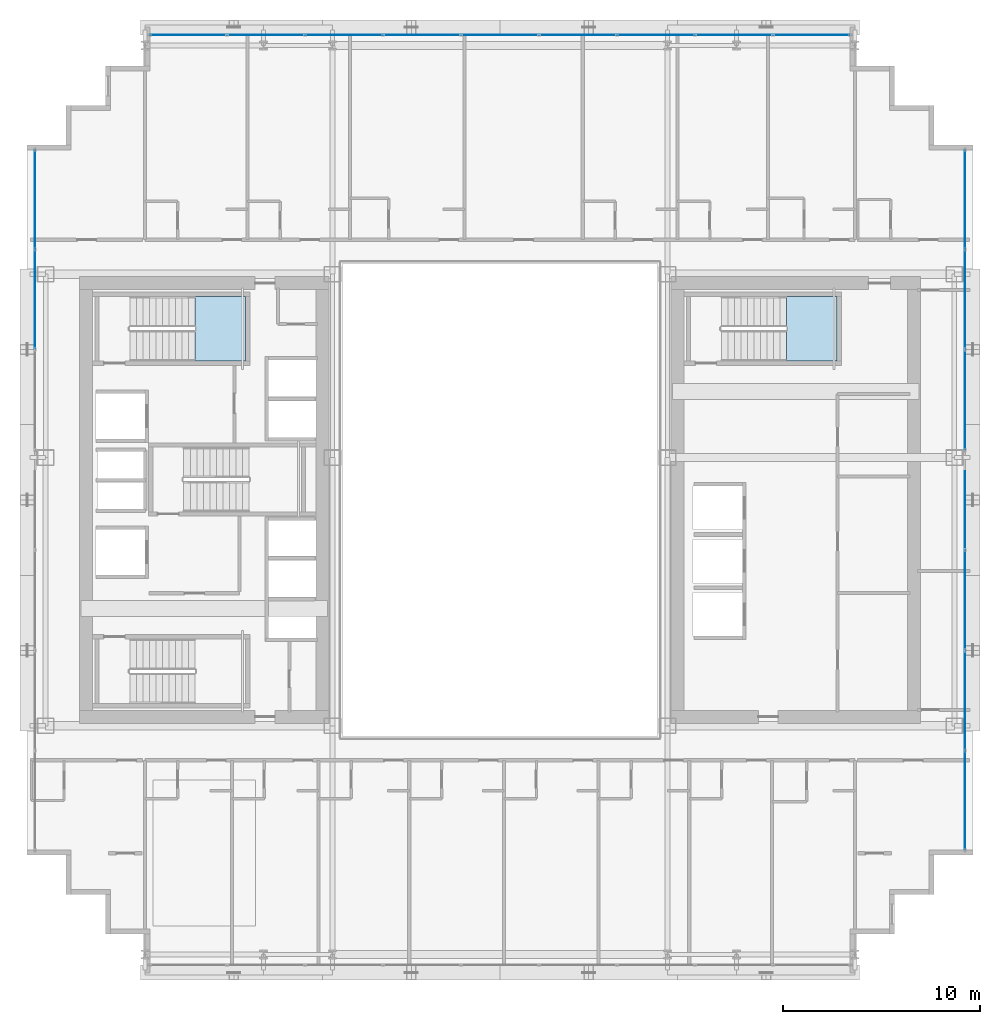
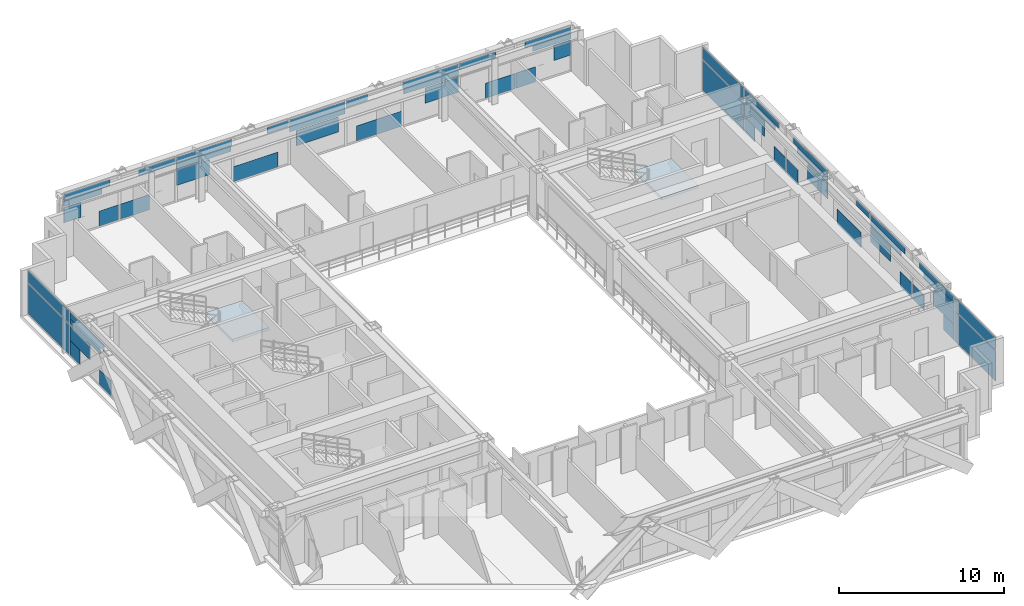
# One storey, part 24 of 36: 55 plates, 2 slabs, 5 elements without a shape of their own.
"""IFC4 building model written with IfcOpenShell, lengths in metres."""

from ifc_helpers import new_model, si_unit, direction, frame, origin, origin_2d, place, context, subcontext, project, spatial, polyline, rectangle, outline, extrude, source, transform, mapped, material, layer, layer_set, type_object, element, aggregate, save


model = new_model("IFC4")

# Units and contexts
model_context = context("Model", 3, precision=1e-05, world=origin(), true_north=direction((0.0, 1.0)))
body_context = subcontext(model_context, "Body", "Model", "MODEL_VIEW")
ifc_project = project(units=[si_unit("LENGTHUNIT", "METRE"), si_unit("AREAUNIT", "SQUARE_METRE"), si_unit("VOLUMEUNIT", "CUBIC_METRE"), si_unit("PLANEANGLEUNIT", "RADIAN"), si_unit("MASSUNIT", "GRAM", prefix="KILO")], contexts=[model_context])

# Site, building, storey
site_placement = place(None, origin())
site = spatial("IfcSite", under=ifc_project, at=site_placement, CompositionType="ELEMENT")
building_placement = place(site_placement, origin())
building = spatial("IfcBuilding", under=site, at=building_placement, Name="Ocotamira Hotel", CompositionType="ELEMENT")
storey_placement = place(building_placement, frame((0.0, 0.0, 97.199951171875)))
storey = spatial("IfcBuildingStorey", under=building, at=storey_placement, Name="L23", CompositionType="ELEMENT", Elevation=97.199951171875)

# Stair, slab
ifc_material_1 = material(Name="Concrete C40/50", Category="concrete")
stair_type = type_object("IfcStairType", Name="ST-CORE-1560", PredefinedType="HALF_TURN_STAIR", material=ifc_material_1)
stair_1_placement = place(storey_placement, origin())
stair_1 = element("IfcStair", 1, at=stair_1_placement, inside=storey, type_object=stair_type, Name="L23 Exit Stair ST-2", PredefinedType="HALF_TURN_STAIR")
ifc_layer_1 = layer(ifc_material_1, 0.199951171875)
ifc_layer_set_1 = layer_set([ifc_layer_1], Name="Concrete C40/50")
slab_type = type_object("IfcSlabType", Name="SLB-LAND-200", PredefinedType="LANDING", material=ifc_layer_set_1)
slab_1_placement = place(storey_placement, frame((0.0, 0.0, 1.60009765625)))
slab_1 = element("IfcSlab", 2, at=slab_1_placement, type_object=slab_type, Name="ST-2 landing 1", PredefinedType="LANDING", context=body_context, shape_type="SweptSolid", body=[
    extrude(outline(polyline([(16.530029296875, 33.050048828125), (19.090087890625, 33.050048828125), (19.090087890625, 36.330078125), (16.530029296875, 36.330078125), (16.530029296875, 33.050048828125)])), origin(), (0.0, 0.0, 1.0), 0.199951171875),
])
aggregate(stair_1, [slab_1])

stair_2_placement = place(storey_placement, origin())
stair_2 = element("IfcStair", 3, at=stair_2_placement, inside=storey, type_object=stair_type, Name="L23 Exit Stair ST-4", PredefinedType="HALF_TURN_STAIR")
slab_2_placement = place(storey_placement, frame((0.0, 0.0, 1.60009765625)))
slab_2 = element("IfcSlab", 4, at=slab_2_placement, type_object=slab_type, Name="ST-4 landing 1", PredefinedType="LANDING", context=body_context, shape_type="SweptSolid", body=[
    extrude(outline(polyline([(46.530029296875, 33.050048828125), (49.090087890625, 33.050048828125), (49.090087890625, 36.330078125), (46.530029296875, 36.330078125), (46.530029296875, 33.050048828125)])), origin(), (0.0, 0.0, 1.0), 0.199951171875),
])
aggregate(stair_2, [slab_2])

# Curtain wall, plate
ifc_material_2 = material(Name="Anodised pale-metal aluminium and solar glass", Category="aluminium")
ifc_layer_2 = layer(ifc_material_2, 0.179931640625)
ifc_layer_set_2 = layer_set([ifc_layer_2], Name="Anodised pale-metal aluminium and solar glass")
curtain_wall_type = type_object("IfcCurtainWallType", Name="CW-SYS3-Z2", PredefinedType="NOTDEFINED", material=ifc_layer_set_2)
curtain_wall_1_placement = place(storey_placement, origin())
curtain_wall_1 = element("IfcCurtainWall", 5, at=curtain_wall_1_placement, inside=storey, type_object=curtain_wall_type, Name="L23 Curtain Wall CW-3 CW-L23-W", PredefinedType="NOTDEFINED")
ifc_material_3 = material(Name="Double-silver low-E insulated solar glass", Category="glass")
ifc_layer_3 = layer(ifc_material_3, 0.031982421875)
ifc_layer_set_3 = layer_set([ifc_layer_3], Name="Double-silver low-E insulated solar glass")
plate_type = type_object("IfcPlateType", Name="CWP-VISION-32", PredefinedType="CURTAIN_PANEL", material=ifc_layer_set_3)
shared_shape_1 = source(origin(), body_context, "Body", "SweptSolid", [
    extrude(rectangle(XDim=4.9658203125, YDim=0.031982421875, at=origin_2d()), origin(), (0.0, 0.0, 1.0), 2.237548828125),
])
plate_1_placement = place(storey_placement, frame((8.419921875, 41.237060546875, 0.0751953125), z_axis=(0.0, 0.0, 1.0), x_axis=(0.0, 1.0, 0.0)))
plate_1 = element("IfcPlate", 6, at=plate_1_placement, type_object=plate_type, Name="CW-3 panel 7.1", PredefinedType="CURTAIN_PANEL", context=body_context, shape_type="MappedRepresentation", body=[
    mapped(shared_shape_1, transform((0.0, 0.0, 0.0), scale=1.0)),
])

# Curtain wall, plates
curtain_wall_2_placement = place(storey_placement, origin())
curtain_wall_2 = element("IfcCurtainWall", 7, at=curtain_wall_2_placement, inside=storey, type_object=curtain_wall_type, Name="L23 Curtain Wall CW-3 CW-L23-E", PredefinedType="NOTDEFINED")
plate_2_placement = place(storey_placement, frame((55.580078125, 10.762939453125, 0.0751953125), z_axis=(0.0, 0.0, 1.0), x_axis=(0.0, 1.0, 0.0)))
plate_2 = element("IfcPlate", 8, at=plate_2_placement, type_object=plate_type, Name="CW-3 panel 1.1", PredefinedType="CURTAIN_PANEL", context=body_context, shape_type="MappedRepresentation", body=[
    mapped(shared_shape_1, transform((0.0, 0.0, 0.0), scale=1.0)),
])
plate_3_placement = place(storey_placement, frame((55.580078125, 41.237060546875, 0.0751953125), z_axis=(0.0, 0.0, 1.0), x_axis=(0.0, 1.0, 0.0)))
plate_3 = element("IfcPlate", 9, at=plate_3_placement, type_object=plate_type, Name="CW-3 panel 7.1", PredefinedType="CURTAIN_PANEL", context=body_context, shape_type="MappedRepresentation", body=[
    mapped(shared_shape_1, transform((0.0, 0.0, 0.0), scale=1.0)),
])

curtain_wall_3_placement = place(storey_placement, origin())
curtain_wall_3 = element("IfcCurtainWall", 10, at=curtain_wall_3_placement, inside=storey, type_object=curtain_wall_type, Name="L23 Curtain Wall CW-3 CW-L23-N", PredefinedType="NOTDEFINED")
shared_shape_2 = source(origin(), body_context, "Body", "SweptSolid", [
    extrude(rectangle(XDim=1.184326171875, YDim=0.031982421875, at=origin_2d()), origin(), (0.0, 0.0, 1.0), 1.118896484375),
])
plate_4_placement = place(storey_placement, frame((14.872314453125, 49.580078125, 1.19384765625), z_axis=(0.0, 0.0, 1.0), x_axis=(1.0, 0.0, 0.0)))
plate_4 = element("IfcPlate", 11, at=plate_4_placement, type_object=plate_type, Name="CW-3 panel 1.1.1", PredefinedType="CURTAIN_PANEL", context=body_context, shape_type="MappedRepresentation", body=[
    mapped(shared_shape_2, transform((0.0, 0.0, 0.0), scale=1.0)),
])
plate_5_placement = place(storey_placement, frame((49.127685546875, 49.580078125, 1.19384765625), z_axis=(0.0, 0.0, 1.0), x_axis=(1.0, 0.0, 0.0)))
plate_5 = element("IfcPlate", 12, at=plate_5_placement, type_object=plate_type, Name="CW-3 panel 9.1.2", PredefinedType="CURTAIN_PANEL", context=body_context, shape_type="MappedRepresentation", body=[
    mapped(shared_shape_2, transform((0.0, 0.0, 0.0), scale=1.0)),
])
shared_shape_3 = source(origin(), body_context, "Body", "SweptSolid", [
    extrude(rectangle(XDim=1.37060546875, YDim=0.031982421875, at=origin_2d()), origin(), (0.0, 0.0, 1.0), 1.11865234375),
])
plate_6_placement = place(storey_placement, frame((17.430419921875, 49.580078125, 0.0751953125), z_axis=(0.0, 0.0, 1.0), x_axis=(1.0, 0.0, 0.0)))
plate_6 = element("IfcPlate", 13, at=plate_6_placement, type_object=plate_type, Name="CW-3 panel 1.1.2", PredefinedType="CURTAIN_PANEL", context=body_context, shape_type="MappedRepresentation", body=[
    mapped(shared_shape_3, transform((0.0, 0.0, 0.0), scale=1.0)),
])
plate_7_placement = place(storey_placement, frame((46.569580078125, 49.580078125, 0.0751953125), z_axis=(0.0, 0.0, 1.0), x_axis=(1.0, 0.0, 0.0)))
plate_7 = element("IfcPlate", 14, at=plate_7_placement, type_object=plate_type, Name="CW-3 panel 9.1.1", PredefinedType="CURTAIN_PANEL", context=body_context, shape_type="MappedRepresentation", body=[
    mapped(shared_shape_3, transform((0.0, 0.0, 0.0), scale=1.0)),
])
shared_shape_4 = source(origin(), body_context, "Body", "SweptSolid", [
    extrude(rectangle(XDim=2.676513671875, YDim=0.031982421875, at=origin_2d()), origin(), (0.0, 0.0, 1.0), 0.39453125),
])
plate_8_placement = place(storey_placement, frame((15.618408203125, 49.580078125, 2.3876953125), z_axis=(0.0, 0.0, 1.0), x_axis=(1.0, 0.0, 0.0)))
plate_8 = element("IfcPlate", 15, at=plate_8_placement, type_object=plate_type, Name="CW-3 panel 1.2.1", PredefinedType="CURTAIN_PANEL", context=body_context, shape_type="MappedRepresentation", body=[
    mapped(shared_shape_4, transform((0.0, 0.0, 0.0), scale=1.0)),
])
plate_9_placement = place(storey_placement, frame((48.381591796875, 49.580078125, 2.3876953125), z_axis=(0.0, 0.0, 1.0), x_axis=(1.0, 0.0, 0.0)))
plate_9 = element("IfcPlate", 16, at=plate_9_placement, type_object=plate_type, Name="CW-3 panel 9.2.2", PredefinedType="CURTAIN_PANEL", context=body_context, shape_type="MappedRepresentation", body=[
    mapped(shared_shape_4, transform((0.0, 0.0, 0.0), scale=1.0)),
])
shared_shape_5 = source(origin(), body_context, "Body", "SweptSolid", [
    extrude(rectangle(XDim=3.208740234375, YDim=0.031982421875, at=origin_2d()), origin(), (0.0, 0.0, 1.0), 0.4716796875),
])
plate_10_placement = place(storey_placement, frame((15.884521484375, 49.580078125, 2.813232421875), z_axis=(0.0, 0.0, 1.0), x_axis=(1.0, 0.0, 0.0)))
plate_10 = element("IfcPlate", 17, at=plate_10_placement, type_object=plate_type, Name="CW-3 panel 1.2.2", PredefinedType="CURTAIN_PANEL", context=body_context, shape_type="MappedRepresentation", body=[
    mapped(shared_shape_5, transform((0.0, 0.0, 0.0), scale=1.0)),
])
plate_11_placement = place(storey_placement, frame((48.115478515625, 49.580078125, 2.813232421875), z_axis=(0.0, 0.0, 1.0), x_axis=(1.0, 0.0, 0.0)))
plate_11 = element("IfcPlate", 18, at=plate_11_placement, type_object=plate_type, Name="CW-3 panel 9.2.1", PredefinedType="CURTAIN_PANEL", context=body_context, shape_type="MappedRepresentation", body=[
    mapped(shared_shape_5, transform((0.0, 0.0, 0.0), scale=1.0)),
])
shared_shape_6 = source(origin(), body_context, "Body", "SweptSolid", [
    extrude(rectangle(XDim=2.059326171875, YDim=0.031982421875, at=origin_2d()), origin(), (0.0, 0.0, 1.0), 1.11865234375),
])
plate_12_placement = place(storey_placement, frame((19.225341796875, 49.580078125, 0.0751953125), z_axis=(0.0, 0.0, 1.0), x_axis=(1.0, 0.0, 0.0)))
plate_12 = element("IfcPlate", 19, at=plate_12_placement, type_object=plate_type, Name="CW-3 panel 2.1.1", PredefinedType="CURTAIN_PANEL", context=body_context, shape_type="MappedRepresentation", body=[
    mapped(shared_shape_6, transform((0.0, 0.0, 0.0), scale=1.0)),
])
plate_13_placement = place(storey_placement, frame((44.774658203125, 49.580078125, 0.0751953125), z_axis=(0.0, 0.0, 1.0), x_axis=(1.0, 0.0, 0.0)))
plate_13 = element("IfcPlate", 20, at=plate_13_placement, type_object=plate_type, Name="CW-3 panel 8.1.1", PredefinedType="CURTAIN_PANEL", context=body_context, shape_type="MappedRepresentation", body=[
    mapped(shared_shape_6, transform((0.0, 0.0, 0.0), scale=1.0)),
])
shared_shape_7 = source(origin(), body_context, "Body", "SweptSolid", [
    extrude(rectangle(XDim=2.559814453125, YDim=0.031982421875, at=origin_2d()), origin(), (0.0, 0.0, 1.0), 0.4716796875),
])
plate_14_placement = place(storey_placement, frame((20.791259765625, 49.580078125, 2.813232421875), z_axis=(0.0, 0.0, 1.0), x_axis=(1.0, 0.0, 0.0)))
plate_14 = element("IfcPlate", 21, at=plate_14_placement, type_object=plate_type, Name="CW-3 panel 2.2.1", PredefinedType="CURTAIN_PANEL", context=body_context, shape_type="MappedRepresentation", body=[
    mapped(shared_shape_7, transform((0.0, 0.0, 0.0), scale=1.0)),
])
plate_15_placement = place(storey_placement, frame((43.208740234375, 49.580078125, 2.813232421875), z_axis=(0.0, 0.0, 1.0), x_axis=(1.0, 0.0, 0.0)))
plate_15 = element("IfcPlate", 22, at=plate_15_placement, type_object=plate_type, Name="CW-3 panel 8.2.1", PredefinedType="CURTAIN_PANEL", context=body_context, shape_type="MappedRepresentation", body=[
    mapped(shared_shape_7, transform((0.0, 0.0, 0.0), scale=1.0)),
])
shared_shape_8 = source(origin(), body_context, "Body", "SweptSolid", [
    extrude(rectangle(XDim=2.313232421875, YDim=0.031982421875, at=origin_2d()), origin(), (0.0, 0.0, 1.0), 1.118896484375),
])
plate_16_placement = place(storey_placement, frame((23.3076171875, 49.580078125, 1.19384765625), z_axis=(0.0, 0.0, 1.0), x_axis=(1.0, 0.0, 0.0)))
plate_16 = element("IfcPlate", 23, at=plate_16_placement, type_object=plate_type, Name="CW-3 panel 3.1.1", PredefinedType="CURTAIN_PANEL", context=body_context, shape_type="MappedRepresentation", body=[
    mapped(shared_shape_8, transform((0.0, 0.0, 0.0), scale=1.0)),
])
plate_17_placement = place(storey_placement, frame((40.6923828125, 49.580078125, 1.19384765625), z_axis=(0.0, 0.0, 1.0), x_axis=(1.0, 0.0, 0.0)))
plate_17 = element("IfcPlate", 24, at=plate_17_placement, type_object=plate_type, Name="CW-3 panel 7.1.1", PredefinedType="CURTAIN_PANEL", context=body_context, shape_type="MappedRepresentation", body=[
    mapped(shared_shape_8, transform((0.0, 0.0, 0.0), scale=1.0)),
])
shared_shape_9 = source(origin(), body_context, "Body", "SweptSolid", [
    extrude(rectangle(XDim=3.805419921875, YDim=0.031982421875, at=origin_2d()), origin(), (0.0, 0.0, 1.0), 0.42578125),
])
plate_18_placement = place(storey_placement, frame((24.0537109375, 49.580078125, 2.387451171875), z_axis=(0.0, 0.0, 1.0), x_axis=(1.0, 0.0, 0.0)))
plate_18 = element("IfcPlate", 25, at=plate_18_placement, type_object=plate_type, Name="CW-3 panel 3.2.1", PredefinedType="CURTAIN_PANEL", context=body_context, shape_type="MappedRepresentation", body=[
    mapped(shared_shape_9, transform((0.0, 0.0, 0.0), scale=1.0)),
])
plate_19_placement = place(storey_placement, frame((39.9462890625, 49.580078125, 2.387451171875), z_axis=(0.0, 0.0, 1.0), x_axis=(1.0, 0.0, 0.0)))
plate_19 = element("IfcPlate", 26, at=plate_19_placement, type_object=plate_type, Name="CW-3 panel 7.2.2", PredefinedType="CURTAIN_PANEL", context=body_context, shape_type="MappedRepresentation", body=[
    mapped(shared_shape_9, transform((0.0, 0.0, 0.0), scale=1.0)),
])
shared_shape_10 = source(origin(), body_context, "Body", "SweptSolid", [
    extrude(rectangle(XDim=3.87548828125, YDim=0.031982421875, at=origin_2d()), origin(), (0.0, 0.0, 1.0), 0.4716796875),
])
plate_20_placement = place(storey_placement, frame((24.0888671875, 49.580078125, 2.813232421875), z_axis=(0.0, 0.0, 1.0), x_axis=(1.0, 0.0, 0.0)))
plate_20 = element("IfcPlate", 27, at=plate_20_placement, type_object=plate_type, Name="CW-3 panel 3.2.2", PredefinedType="CURTAIN_PANEL", context=body_context, shape_type="MappedRepresentation", body=[
    mapped(shared_shape_10, transform((0.0, 0.0, 0.0), scale=1.0)),
])
plate_21_placement = place(storey_placement, frame((39.9111328125, 49.580078125, 2.813232421875), z_axis=(0.0, 0.0, 1.0), x_axis=(1.0, 0.0, 0.0)))
plate_21 = element("IfcPlate", 28, at=plate_21_placement, type_object=plate_type, Name="CW-3 panel 7.2.1", PredefinedType="CURTAIN_PANEL", context=body_context, shape_type="MappedRepresentation", body=[
    mapped(shared_shape_10, transform((0.0, 0.0, 0.0), scale=1.0)),
])
shared_shape_11 = source(origin(), body_context, "Body", "SweptSolid", [
    extrude(rectangle(XDim=3.148193359375, YDim=0.031982421875, at=origin_2d()), origin(), (0.0, 0.0, 1.0), 1.11865234375),
])
plate_22_placement = place(storey_placement, frame((27.680908203125, 49.580078125, 0.0751953125), z_axis=(0.0, 0.0, 1.0), x_axis=(1.0, 0.0, 0.0)))
plate_22 = element("IfcPlate", 29, at=plate_22_placement, type_object=plate_type, Name="CW-3 panel 4.1.1", PredefinedType="CURTAIN_PANEL", context=body_context, shape_type="MappedRepresentation", body=[
    mapped(shared_shape_11, transform((0.0, 0.0, 0.0), scale=1.0)),
])
plate_23_placement = place(storey_placement, frame((36.319091796875, 49.580078125, 0.0751953125), z_axis=(0.0, 0.0, 1.0), x_axis=(1.0, 0.0, 0.0)))
plate_23 = element("IfcPlate", 30, at=plate_23_placement, type_object=plate_type, Name="CW-3 panel 6.1.1", PredefinedType="CURTAIN_PANEL", context=body_context, shape_type="MappedRepresentation", body=[
    mapped(shared_shape_11, transform((0.0, 0.0, 0.0), scale=1.0)),
])
shared_shape_12 = source(origin(), body_context, "Body", "SweptSolid", [
    extrude(rectangle(XDim=1.470947265625, YDim=0.031982421875, at=origin_2d()), origin(), (0.0, 0.0, 1.0), 0.4716796875),
])
plate_24_placement = place(storey_placement, frame((29.24658203125, 49.580078125, 2.813232421875), z_axis=(0.0, 0.0, 1.0), x_axis=(1.0, 0.0, 0.0)))
plate_24 = element("IfcPlate", 31, at=plate_24_placement, type_object=plate_type, Name="CW-3 panel 4.2.1", PredefinedType="CURTAIN_PANEL", context=body_context, shape_type="MappedRepresentation", body=[
    mapped(shared_shape_12, transform((0.0, 0.0, 0.0), scale=1.0)),
])
plate_25_placement = place(storey_placement, frame((34.75341796875, 49.580078125, 2.813232421875), z_axis=(0.0, 0.0, 1.0), x_axis=(1.0, 0.0, 0.0)))
plate_25 = element("IfcPlate", 32, at=plate_25_placement, type_object=plate_type, Name="CW-3 panel 6.2.1", PredefinedType="CURTAIN_PANEL", context=body_context, shape_type="MappedRepresentation", body=[
    mapped(shared_shape_12, transform((0.0, 0.0, 0.0), scale=1.0)),
])
shared_shape_13 = source(origin(), body_context, "Body", "SweptSolid", [
    extrude(rectangle(XDim=2.9287109375, YDim=0.031982421875, at=origin_2d()), origin(), (0.0, 0.0, 1.0), 1.118896484375),
])
plate_26_placement = place(storey_placement, frame((32.0, 49.580078125, 1.19384765625), z_axis=(0.0, 0.0, 1.0), x_axis=(1.0, 0.0, 0.0)))
plate_26 = element("IfcPlate", 33, at=plate_26_placement, type_object=plate_type, Name="CW-3 panel 5.1.1", PredefinedType="CURTAIN_PANEL", context=body_context, shape_type="MappedRepresentation", body=[
    mapped(shared_shape_13, transform((0.0, 0.0, 0.0), scale=1.0)),
])
shared_shape_14 = source(origin(), body_context, "Body", "SweptSolid", [
    extrude(rectangle(XDim=3.87548828125, YDim=0.031982421875, at=origin_2d()), origin(), (0.0, 0.0, 1.0), 0.8974609375),
])
plate_27_placement = place(storey_placement, frame((32.0, 49.580078125, 2.387451171875), z_axis=(0.0, 0.0, 1.0), x_axis=(1.0, 0.0, 0.0)))
plate_27 = element("IfcPlate", 34, at=plate_27_placement, type_object=plate_type, Name="CW-3 panel 5.2", PredefinedType="CURTAIN_PANEL", context=body_context, shape_type="MappedRepresentation", body=[
    mapped(shared_shape_14, transform((0.0, 0.0, 0.0), scale=1.0)),
])
aggregate(curtain_wall_3, [plate_4, plate_6, plate_8, plate_10, plate_12, plate_14, plate_16, plate_18, plate_20, plate_22, plate_24, plate_26, plate_27, plate_23, plate_25, plate_17, plate_21, plate_19, plate_13, plate_15, plate_7, plate_5, plate_11, plate_9])

# Plate
shared_shape_15 = source(origin(), body_context, "Body", "SweptSolid", [
    extrude(rectangle(XDim=4.9658203125, YDim=0.031982421875, at=origin_2d()), origin(), (0.0, 0.0, 1.0), 0.8974609375),
])
plate_28_placement = place(storey_placement, frame((8.419921875, 41.237060546875, 2.387451171875), z_axis=(0.0, 0.0, 1.0), x_axis=(0.0, 1.0, 0.0)))
plate_28 = element("IfcPlate", 35, at=plate_28_placement, type_object=plate_type, Name="CW-3 panel 7.2", PredefinedType="CURTAIN_PANEL", context=body_context, shape_type="MappedRepresentation", body=[
    mapped(shared_shape_15, transform((0.0, 0.0, 0.0), scale=1.0)),
])

plate_29_placement = place(storey_placement, frame((55.580078125, 10.762939453125, 2.387451171875), z_axis=(0.0, 0.0, 1.0), x_axis=(0.0, 1.0, 0.0)))
plate_29 = element("IfcPlate", 36, at=plate_29_placement, type_object=plate_type, Name="CW-3 panel 1.2", PredefinedType="CURTAIN_PANEL", context=body_context, shape_type="MappedRepresentation", body=[
    mapped(shared_shape_15, transform((0.0, 0.0, 0.0), scale=1.0)),
])

plate_30_placement = place(storey_placement, frame((55.580078125, 41.237060546875, 2.387451171875), z_axis=(0.0, 0.0, 1.0), x_axis=(0.0, 1.0, 0.0)))
plate_30 = element("IfcPlate", 37, at=plate_30_placement, type_object=plate_type, Name="CW-3 panel 7.2", PredefinedType="CURTAIN_PANEL", context=body_context, shape_type="MappedRepresentation", body=[
    mapped(shared_shape_15, transform((0.0, 0.0, 0.0), scale=1.0)),
])

shared_shape_16 = source(origin(), body_context, "Body", "SweptSolid", [
    extrude(rectangle(XDim=1.240234375, YDim=0.031982421875, at=origin_2d()), origin(), (0.0, 0.0, 1.0), 1.11865234375),
])
plate_31_placement = place(storey_placement, frame((8.419921875, 38.05419921875, 0.0751953125), z_axis=(0.0, 0.0, 1.0), x_axis=(0.0, 1.0, 0.0)))
plate_31 = element("IfcPlate", 38, at=plate_31_placement, type_object=plate_type, Name="CW-3 panel 6.1.3", PredefinedType="CURTAIN_PANEL", context=body_context, shape_type="MappedRepresentation", body=[
    mapped(shared_shape_16, transform((0.0, 0.0, 0.0), scale=1.0)),
])

plate_32_placement = place(storey_placement, frame((55.580078125, 13.94580078125, 0.0751953125), z_axis=(0.0, 0.0, 1.0), x_axis=(0.0, 1.0, 0.0)))
plate_32 = element("IfcPlate", 39, at=plate_32_placement, type_object=plate_type, Name="CW-3 panel 2.1.1", PredefinedType="CURTAIN_PANEL", context=body_context, shape_type="MappedRepresentation", body=[
    mapped(shared_shape_16, transform((0.0, 0.0, 0.0), scale=1.0)),
])

plate_33_placement = place(storey_placement, frame((55.580078125, 38.05419921875, 0.0751953125), z_axis=(0.0, 0.0, 1.0), x_axis=(0.0, 1.0, 0.0)))
plate_33 = element("IfcPlate", 40, at=plate_33_placement, type_object=plate_type, Name="CW-3 panel 6.1.3", PredefinedType="CURTAIN_PANEL", context=body_context, shape_type="MappedRepresentation", body=[
    mapped(shared_shape_16, transform((0.0, 0.0, 0.0), scale=1.0)),
])

shared_shape_17 = source(origin(), body_context, "Body", "SweptSolid", [
    extrude(rectangle(XDim=2.426513671875, YDim=0.031982421875, at=origin_2d()), origin(), (0.0, 0.0, 1.0), 1.118896484375),
])
plate_34_placement = place(storey_placement, frame((8.419921875, 37.461181640625, 1.19384765625), z_axis=(0.0, 0.0, 1.0), x_axis=(0.0, 1.0, 0.0)))
plate_34 = element("IfcPlate", 41, at=plate_34_placement, type_object=plate_type, Name="CW-3 panel 6.1.2", PredefinedType="CURTAIN_PANEL", context=body_context, shape_type="MappedRepresentation", body=[
    mapped(shared_shape_17, transform((0.0, 0.0, 0.0), scale=1.0)),
])

plate_35_placement = place(storey_placement, frame((55.580078125, 14.538818359375, 1.19384765625), z_axis=(0.0, 0.0, 1.0), x_axis=(0.0, 1.0, 0.0)))
plate_35 = element("IfcPlate", 42, at=plate_35_placement, type_object=plate_type, Name="CW-3 panel 2.1.2", PredefinedType="CURTAIN_PANEL", context=body_context, shape_type="MappedRepresentation", body=[
    mapped(shared_shape_17, transform((0.0, 0.0, 0.0), scale=1.0)),
])

plate_36_placement = place(storey_placement, frame((55.580078125, 37.461181640625, 1.19384765625), z_axis=(0.0, 0.0, 1.0), x_axis=(0.0, 1.0, 0.0)))
plate_36 = element("IfcPlate", 43, at=plate_36_placement, type_object=plate_type, Name="CW-3 panel 6.1.2", PredefinedType="CURTAIN_PANEL", context=body_context, shape_type="MappedRepresentation", body=[
    mapped(shared_shape_17, transform((0.0, 0.0, 0.0), scale=1.0)),
])

shared_shape_18 = source(origin(), body_context, "Body", "SweptSolid", [
    extrude(rectangle(XDim=1.413330078125, YDim=0.031982421875, at=origin_2d()), origin(), (0.0, 0.0, 1.0), 1.11865234375),
])
plate_37_placement = place(storey_placement, frame((8.419921875, 34.375244140625, 0.0751953125), z_axis=(0.0, 0.0, 1.0), x_axis=(0.0, 1.0, 0.0)))
plate_37 = element("IfcPlate", 44, at=plate_37_placement, type_object=plate_type, Name="CW-3 panel 6.1.1", PredefinedType="CURTAIN_PANEL", context=body_context, shape_type="MappedRepresentation", body=[
    mapped(shared_shape_18, transform((0.0, 0.0, 0.0), scale=1.0)),
])

plate_38_placement = place(storey_placement, frame((55.580078125, 17.624755859375, 0.0751953125), z_axis=(0.0, 0.0, 1.0), x_axis=(0.0, 1.0, 0.0)))
plate_38 = element("IfcPlate", 45, at=plate_38_placement, type_object=plate_type, Name="CW-3 panel 2.1.3", PredefinedType="CURTAIN_PANEL", context=body_context, shape_type="MappedRepresentation", body=[
    mapped(shared_shape_18, transform((0.0, 0.0, 0.0), scale=1.0)),
])

plate_39_placement = place(storey_placement, frame((55.580078125, 34.375244140625, 0.0751953125), z_axis=(0.0, 0.0, 1.0), x_axis=(0.0, 1.0, 0.0)))
plate_39 = element("IfcPlate", 46, at=plate_39_placement, type_object=plate_type, Name="CW-3 panel 6.1.1", PredefinedType="CURTAIN_PANEL", context=body_context, shape_type="MappedRepresentation", body=[
    mapped(shared_shape_18, transform((0.0, 0.0, 0.0), scale=1.0)),
])

shared_shape_19 = source(origin(), body_context, "Body", "SweptSolid", [
    extrude(rectangle(XDim=3.69189453125, YDim=0.031982421875, at=origin_2d()), origin(), (0.0, 0.0, 1.0), 0.414306640625),
])
plate_40_placement = place(storey_placement, frame((8.419921875, 36.828369140625, 2.3876953125), z_axis=(0.0, 0.0, 1.0), x_axis=(0.0, 1.0, 0.0)))
plate_40 = element("IfcPlate", 47, at=plate_40_placement, type_object=plate_type, Name="CW-3 panel 6.2.2", PredefinedType="CURTAIN_PANEL", context=body_context, shape_type="MappedRepresentation", body=[
    mapped(shared_shape_19, transform((0.0, 0.0, 0.0), scale=1.0)),
])

plate_41_placement = place(storey_placement, frame((55.580078125, 15.171630859375, 2.3876953125), z_axis=(0.0, 0.0, 1.0), x_axis=(0.0, 1.0, 0.0)))
plate_41 = element("IfcPlate", 48, at=plate_41_placement, type_object=plate_type, Name="CW-3 panel 2.2.1", PredefinedType="CURTAIN_PANEL", context=body_context, shape_type="MappedRepresentation", body=[
    mapped(shared_shape_19, transform((0.0, 0.0, 0.0), scale=1.0)),
])

plate_42_placement = place(storey_placement, frame((55.580078125, 36.828369140625, 2.3876953125), z_axis=(0.0, 0.0, 1.0), x_axis=(0.0, 1.0, 0.0)))
plate_42 = element("IfcPlate", 49, at=plate_42_placement, type_object=plate_type, Name="CW-3 panel 6.2.2", PredefinedType="CURTAIN_PANEL", context=body_context, shape_type="MappedRepresentation", body=[
    mapped(shared_shape_19, transform((0.0, 0.0, 0.0), scale=1.0)),
])

shared_shape_20 = source(origin(), body_context, "Body", "SweptSolid", [
    extrude(rectangle(XDim=4.16748046875, YDim=0.031982421875, at=origin_2d()), origin(), (0.0, 0.0, 1.0), 0.44873046875),
])
plate_43_placement = place(storey_placement, frame((8.419921875, 36.590576171875, 2.836181640625), z_axis=(0.0, 0.0, 1.0), x_axis=(0.0, 1.0, 0.0)))
plate_43 = element("IfcPlate", 50, at=plate_43_placement, type_object=plate_type, Name="CW-3 panel 6.2.1", PredefinedType="CURTAIN_PANEL", context=body_context, shape_type="MappedRepresentation", body=[
    mapped(shared_shape_20, transform((0.0, 0.0, 0.0), scale=1.0)),
])

aggregate(curtain_wall_1, [plate_37, plate_34, plate_31, plate_43, plate_40, plate_1, plate_28])

plate_44_placement = place(storey_placement, frame((55.580078125, 15.409423828125, 2.836181640625), z_axis=(0.0, 0.0, 1.0), x_axis=(0.0, 1.0, 0.0)))
plate_44 = element("IfcPlate", 51, at=plate_44_placement, type_object=plate_type, Name="CW-3 panel 2.2.2", PredefinedType="CURTAIN_PANEL", context=body_context, shape_type="MappedRepresentation", body=[
    mapped(shared_shape_20, transform((0.0, 0.0, 0.0), scale=1.0)),
])

plate_45_placement = place(storey_placement, frame((55.580078125, 36.590576171875, 2.836181640625), z_axis=(0.0, 0.0, 1.0), x_axis=(0.0, 1.0, 0.0)))
plate_45 = element("IfcPlate", 52, at=plate_45_placement, type_object=plate_type, Name="CW-3 panel 6.2.1", PredefinedType="CURTAIN_PANEL", context=body_context, shape_type="MappedRepresentation", body=[
    mapped(shared_shape_20, transform((0.0, 0.0, 0.0), scale=1.0)),
])

shared_shape_21 = source(origin(), body_context, "Body", "SweptSolid", [
    extrude(rectangle(XDim=1.40380859375, YDim=0.031982421875, at=origin_2d()), origin(), (0.0, 0.0, 1.0), 1.11865234375),
])
plate_46_placement = place(storey_placement, frame((55.580078125, 19.11328125, 0.0751953125), z_axis=(0.0, 0.0, 1.0), x_axis=(0.0, 1.0, 0.0)))
plate_46 = element("IfcPlate", 53, at=plate_46_placement, type_object=plate_type, Name="CW-3 panel 3.1.1", PredefinedType="CURTAIN_PANEL", context=body_context, shape_type="MappedRepresentation", body=[
    mapped(shared_shape_21, transform((0.0, 0.0, 0.0), scale=1.0)),
])

plate_47_placement = place(storey_placement, frame((55.580078125, 32.88671875, 0.0751953125), z_axis=(0.0, 0.0, 1.0), x_axis=(0.0, 1.0, 0.0)))
plate_47 = element("IfcPlate", 54, at=plate_47_placement, type_object=plate_type, Name="CW-3 panel 5.1.2", PredefinedType="CURTAIN_PANEL", context=body_context, shape_type="MappedRepresentation", body=[
    mapped(shared_shape_21, transform((0.0, 0.0, 0.0), scale=1.0)),
])

shared_shape_22 = source(origin(), body_context, "Body", "SweptSolid", [
    extrude(rectangle(XDim=2.404296875, YDim=0.031982421875, at=origin_2d()), origin(), (0.0, 0.0, 1.0), 1.118896484375),
])
plate_48_placement = place(storey_placement, frame((55.580078125, 22.183349609375, 1.19384765625), z_axis=(0.0, 0.0, 1.0), x_axis=(0.0, 1.0, 0.0)))
plate_48 = element("IfcPlate", 55, at=plate_48_placement, type_object=plate_type, Name="CW-3 panel 3.1.2", PredefinedType="CURTAIN_PANEL", context=body_context, shape_type="MappedRepresentation", body=[
    mapped(shared_shape_22, transform((0.0, 0.0, 0.0), scale=1.0)),
])

plate_49_placement = place(storey_placement, frame((55.580078125, 29.816650390625, 1.19384765625), z_axis=(0.0, 0.0, 1.0), x_axis=(0.0, 1.0, 0.0)))
plate_49 = element("IfcPlate", 56, at=plate_49_placement, type_object=plate_type, Name="CW-3 panel 5.1.1", PredefinedType="CURTAIN_PANEL", context=body_context, shape_type="MappedRepresentation", body=[
    mapped(shared_shape_22, transform((0.0, 0.0, 0.0), scale=1.0)),
])

shared_shape_23 = source(origin(), body_context, "Body", "SweptSolid", [
    extrude(rectangle(XDim=4.17724609375, YDim=0.031982421875, at=origin_2d()), origin(), (0.0, 0.0, 1.0), 0.44873046875),
])
plate_50_placement = place(storey_placement, frame((55.580078125, 21.32861328125, 2.836181640625), z_axis=(0.0, 0.0, 1.0), x_axis=(0.0, 1.0, 0.0)))
plate_50 = element("IfcPlate", 57, at=plate_50_placement, type_object=plate_type, Name="CW-3 panel 3.2.1", PredefinedType="CURTAIN_PANEL", context=body_context, shape_type="MappedRepresentation", body=[
    mapped(shared_shape_23, transform((0.0, 0.0, 0.0), scale=1.0)),
])

plate_51_placement = place(storey_placement, frame((55.580078125, 30.67138671875, 2.836181640625), z_axis=(0.0, 0.0, 1.0), x_axis=(0.0, 1.0, 0.0)))
plate_51 = element("IfcPlate", 58, at=plate_51_placement, type_object=plate_type, Name="CW-3 panel 5.2.2", PredefinedType="CURTAIN_PANEL", context=body_context, shape_type="MappedRepresentation", body=[
    mapped(shared_shape_23, transform((0.0, 0.0, 0.0), scale=1.0)),
])

shared_shape_24 = source(origin(), body_context, "Body", "SweptSolid", [
    extrude(rectangle(XDim=3.70166015625, YDim=0.031982421875, at=origin_2d()), origin(), (0.0, 0.0, 1.0), 0.414306640625),
])
plate_52_placement = place(storey_placement, frame((55.580078125, 21.56640625, 2.3876953125), z_axis=(0.0, 0.0, 1.0), x_axis=(0.0, 1.0, 0.0)))
plate_52 = element("IfcPlate", 59, at=plate_52_placement, type_object=plate_type, Name="CW-3 panel 3.2.2", PredefinedType="CURTAIN_PANEL", context=body_context, shape_type="MappedRepresentation", body=[
    mapped(shared_shape_24, transform((0.0, 0.0, 0.0), scale=1.0)),
])

plate_53_placement = place(storey_placement, frame((55.580078125, 30.43359375, 2.3876953125), z_axis=(0.0, 0.0, 1.0), x_axis=(0.0, 1.0, 0.0)))
plate_53 = element("IfcPlate", 60, at=plate_53_placement, type_object=plate_type, Name="CW-3 panel 5.2.1", PredefinedType="CURTAIN_PANEL", context=body_context, shape_type="MappedRepresentation", body=[
    mapped(shared_shape_24, transform((0.0, 0.0, 0.0), scale=1.0)),
])

shared_shape_25 = source(origin(), body_context, "Body", "SweptSolid", [
    extrude(rectangle(XDim=2.897216796875, YDim=0.031982421875, at=origin_2d()), origin(), (0.0, 0.0, 1.0), 1.11865234375),
])
plate_54_placement = place(storey_placement, frame((55.580078125, 26.0, 0.0751953125), z_axis=(0.0, 0.0, 1.0), x_axis=(0.0, 1.0, 0.0)))
plate_54 = element("IfcPlate", 61, at=plate_54_placement, type_object=plate_type, Name="CW-3 panel 4.1.1", PredefinedType="CURTAIN_PANEL", context=body_context, shape_type="MappedRepresentation", body=[
    mapped(shared_shape_25, transform((0.0, 0.0, 0.0), scale=1.0)),
])

shared_shape_26 = source(origin(), body_context, "Body", "SweptSolid", [
    extrude(rectangle(XDim=1.629638671875, YDim=0.031982421875, at=origin_2d()), origin(), (0.0, 0.0, 1.0), 0.44873046875),
])
plate_55_placement = place(storey_placement, frame((55.580078125, 24.31201171875, 2.836181640625), z_axis=(0.0, 0.0, 1.0), x_axis=(0.0, 1.0, 0.0)))
plate_55 = element("IfcPlate", 62, at=plate_55_placement, type_object=plate_type, Name="CW-3 panel 4.2.1", PredefinedType="CURTAIN_PANEL", context=body_context, shape_type="MappedRepresentation", body=[
    mapped(shared_shape_26, transform((0.0, 0.0, 0.0), scale=1.0)),
])

aggregate(curtain_wall_2, [plate_2, plate_29, plate_32, plate_35, plate_38, plate_41, plate_44, plate_46, plate_48, plate_50, plate_52, plate_54, plate_55, plate_49, plate_47, plate_53, plate_51, plate_39, plate_36, plate_33, plate_45, plate_42, plate_3, plate_30])

save(model, "model.ifc")
